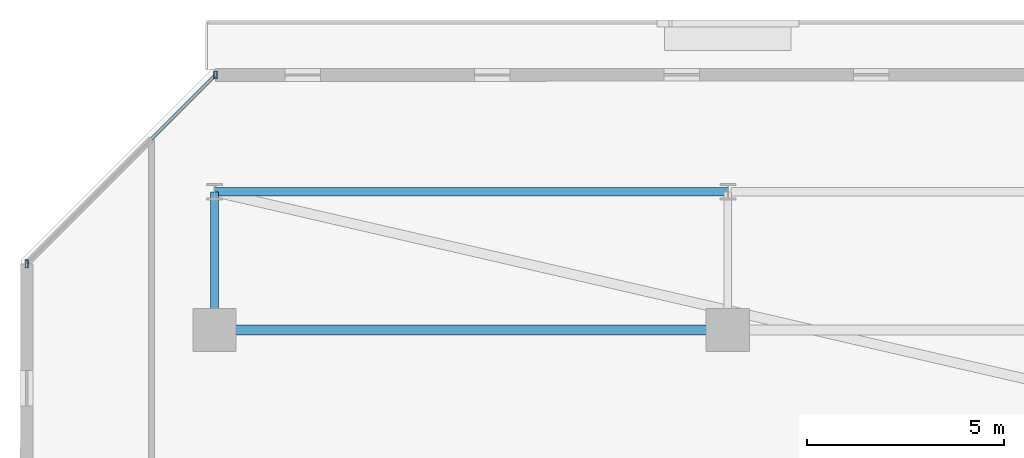
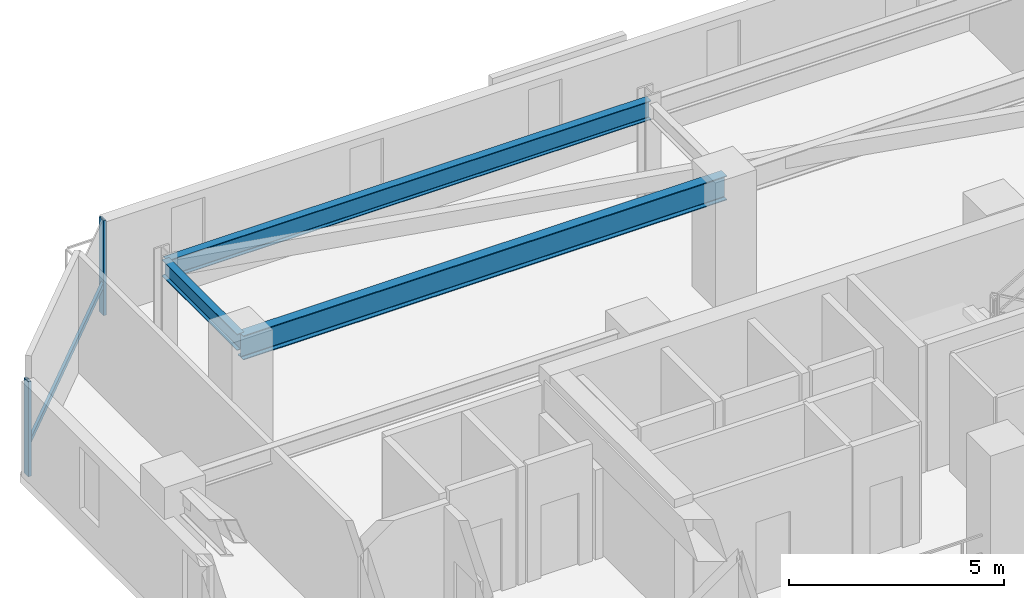
# One storey, part 8 of 33: 3 beams, 3 members, 1 element without a shape of its own.
"""IFC4 building model written with IfcOpenShell, lengths in metres."""

from ifc_helpers import new_model, si_unit, direction, frame, origin, origin_2d, place, context, subcontext, project, spatial, hollow_rectangle, i_section, extrude, material, material_profile, profile_set, type_object, element, aggregate, save


model = new_model("IFC4")

# Units and contexts
model_context = context("Model", 3, precision=1e-05, world=origin(), true_north=direction((0.0, 1.0)))
body_context = subcontext(model_context, "Body", "Model", "MODEL_VIEW")
ifc_project = project(units=[si_unit("LENGTHUNIT", "METRE"), si_unit("AREAUNIT", "SQUARE_METRE"), si_unit("VOLUMEUNIT", "CUBIC_METRE"), si_unit("PLANEANGLEUNIT", "RADIAN"), si_unit("MASSUNIT", "GRAM", prefix="KILO")], contexts=[model_context])

# Site, building, storey
site_placement = place(None, origin())
site = spatial("IfcSite", under=ifc_project, at=site_placement, CompositionType="ELEMENT")
building_placement = place(site_placement, origin())
building = spatial("IfcBuilding", under=site, at=building_placement, Name="Thornwick Lancets Civic Towers", CompositionType="ELEMENT")
storey_placement = place(building_placement, frame((0.0, 0.0, 192.89990234375)))
storey = spatial("IfcBuildingStorey", under=building, at=storey_placement, Name="L51", CompositionType="ELEMENT", Elevation=192.89990234375)

# Beams
ifc_material_1 = material(Name="Steel S355JR", Category="steel")
ifc_material_profile_1 = material_profile(ifc_material_1, i_section(OverallWidth=0.210693359375, OverallDepth=0.53955078125, WebThickness=0.01171875, FlangeThickness=0.018798828125, FilletRadius=0.0126953125, at=origin_2d()), Name="UKB 533x210x109")
ifc_profile_set_1 = profile_set([ifc_material_profile_1], Name="Steel S355JR")
beam_type_1 = type_object("IfcBeamType", Name="BM_EDGE_533_109", PredefinedType="SPANDREL", material=ifc_profile_set_1)
beam_1_placement = place(storey_placement, frame((12.5, 47.800048828125, 3.09033203125), z_axis=(1.0, 0.0, 0.0), x_axis=(0.0, 1.0, 0.0)))
element("IfcBeam", 1, at=beam_1_placement, inside=storey, type_object=beam_type_1, Name="BM-EDGE-L51-A-S2-1", PredefinedType="SPANDREL", context=body_context, shape_type="SweptSolid", body=[
    extrude(i_section(OverallWidth=0.210693359375, OverallDepth=0.53955078125, WebThickness=0.01171875, FlangeThickness=0.018798828125, FilletRadius=0.0126953125, at=origin_2d()), origin(), (0.0, 0.0, 1.0), 13.0),
])
ifc_material_profile_2 = material_profile(ifc_material_1, i_section(OverallWidth=0.255859375, OverallDepth=0.69287109375, WebThickness=0.014404296875, FlangeThickness=0.023681640625, FilletRadius=0.01513671875, at=origin_2d()), Name="UKB 686x254x170")
ifc_profile_set_2 = profile_set([ifc_material_profile_2], Name="Steel S355JR")
beam_type_2 = type_object("IfcBeamType", Name="BM_GIRD_686_170", PredefinedType="BEAM", material=ifc_profile_set_2)
beam_2_placement = place(storey_placement, frame((12.5, 44.300048828125, 3.013671875), z_axis=(1.0, 0.0, 0.0), x_axis=(0.0, 1.0, 0.0)))
element("IfcBeam", 2, at=beam_2_placement, inside=storey, type_object=beam_type_2, Name="BM-SPINE-L51-A-6-7", PredefinedType="BEAM", context=body_context, shape_type="SweptSolid", body=[
    extrude(i_section(OverallWidth=0.255859375, OverallDepth=0.69287109375, WebThickness=0.014404296875, FlangeThickness=0.023681640625, FilletRadius=0.01513671875, at=origin_2d()), origin(), (0.0, 0.0, 1.0), 13.0),
])
ifc_material_profile_3 = material_profile(ifc_material_1, i_section(OverallWidth=0.19189453125, OverallDepth=0.46337890625, WebThickness=0.010498046875, FlangeThickness=0.017578125, FilletRadius=0.01025390625, at=origin_2d()), Name="UKB 457x191x89")
ifc_profile_set_3 = profile_set([ifc_material_profile_3], Name="Steel S355JR")
beam_type_3 = type_object("IfcBeamType", Name="BM_JOIST_457_89", PredefinedType="JOIST", material=ifc_profile_set_3)
beam_3_placement = place(storey_placement, frame((12.5, 44.300048828125, 3.12841796875), z_axis=(0.0, 1.0, 0.0), x_axis=(-1.0, 0.0, 0.0)))
element("IfcBeam", 3, at=beam_3_placement, inside=storey, type_object=beam_type_3, Name="BM-RAD-L51-A07", PredefinedType="JOIST", context=body_context, shape_type="SweptSolid", body=[
    extrude(i_section(OverallWidth=0.19189453125, OverallDepth=0.46337890625, WebThickness=0.010498046875, FlangeThickness=0.017578125, FilletRadius=0.01025390625, at=origin_2d()), origin(), (0.0, 0.0, 1.0), 3.5),
])

# Curtain wall, members
ifc_material_2 = material(Name="Mid-zone chamfered-corner unitised glass curtain wall", Category="glass")
curtain_wall_type = type_object("IfcCurtainWallType", Name="CW_SYS_04", PredefinedType="NOTDEFINED", material=ifc_material_2)
curtain_wall_placement = place(storey_placement, origin())
curtain_wall = element("IfcCurtainWall", 4, at=curtain_wall_placement, inside=storey, type_object=curtain_wall_type, Name="L51 Curtain Wall CW-L51-A-E5", PredefinedType="NOTDEFINED")
ifc_material_3 = material(Name="Thermally broken bronze aluminium S355", Category="steel")
ifc_material_profile_4 = material_profile(ifc_material_3, hollow_rectangle(XDim=0.080078125, YDim=0.199951171875, WallThickness=0.006103515625, at=origin_2d()), Name="RHS 200x80x6")
ifc_profile_set_4 = profile_set([ifc_material_profile_4], Name="Thermally broken bronze aluminium S355")
member_type_1 = type_object("IfcMemberType", Name="CW_MUL_200", PredefinedType="MULLION", material=ifc_profile_set_4)
member_1_placement = place(storey_placement, frame((12.52490234375, 50.75732421875, 0.0), z_axis=(0.0, 0.0, 1.0), x_axis=(1.0, 0.0, 0.0)))
member_1 = element("IfcMember", 5, at=member_1_placement, type_object=member_type_1, Name="CW-L51-A-E5 Mullion 0", PredefinedType="MULLION", context=body_context, shape_type="SweptSolid", body=[
    extrude(hollow_rectangle(XDim=0.080078125, YDim=0.199951171875, WallThickness=0.006103515625, at=origin_2d()), origin(), (0.0, 0.0, 1.0), 2.7001953125),
])
member_2_placement = place(storey_placement, frame((7.74267578125, 45.97509765625, 0.0), z_axis=(0.0, 0.0, 1.0), x_axis=(1.0, 0.0, 0.0)))
member_2 = element("IfcMember", 6, at=member_2_placement, type_object=member_type_1, Name="CW-L51-A-E5 Mullion 1", PredefinedType="MULLION", context=body_context, shape_type="SweptSolid", body=[
    extrude(hollow_rectangle(XDim=0.080078125, YDim=0.199951171875, WallThickness=0.006103515625, at=origin_2d()), origin(), (0.0, 0.0, 1.0), 2.7001953125),
])
ifc_material_profile_5 = material_profile(ifc_material_3, hollow_rectangle(XDim=0.074951171875, YDim=0.14990234375, WallThickness=0.0048828125, at=origin_2d()), Name="RHS 150x75x5")
ifc_profile_set_5 = profile_set([ifc_material_profile_5], Name="Thermally broken bronze aluminium S355")
member_type_2 = type_object("IfcMemberType", Name="CW_TRN_150", PredefinedType="USERDEFINED", material=ifc_profile_set_5)
member_3_placement = place(storey_placement, frame((12.5107421875, 50.743408203125, 0.85009765625), z_axis=(-0.707106781187, -0.707106781187, 0.0), x_axis=(0.707106781187, -0.707106781187, 0.0)))
member_3 = element("IfcMember", 7, at=member_3_placement, type_object=member_type_2, Name="CW-L51-A-E5 Transom 0", ObjectType="TRANSOM", PredefinedType="USERDEFINED", context=body_context, shape_type="SweptSolid", body=[
    extrude(hollow_rectangle(XDim=0.074951171875, YDim=0.14990234375, WallThickness=0.0048828125, at=origin_2d()), origin(), (0.0, 0.0, 1.0), 6.723388671875),
])
aggregate(curtain_wall, [member_1, member_2, member_3])

save(model, "model.ifc")
